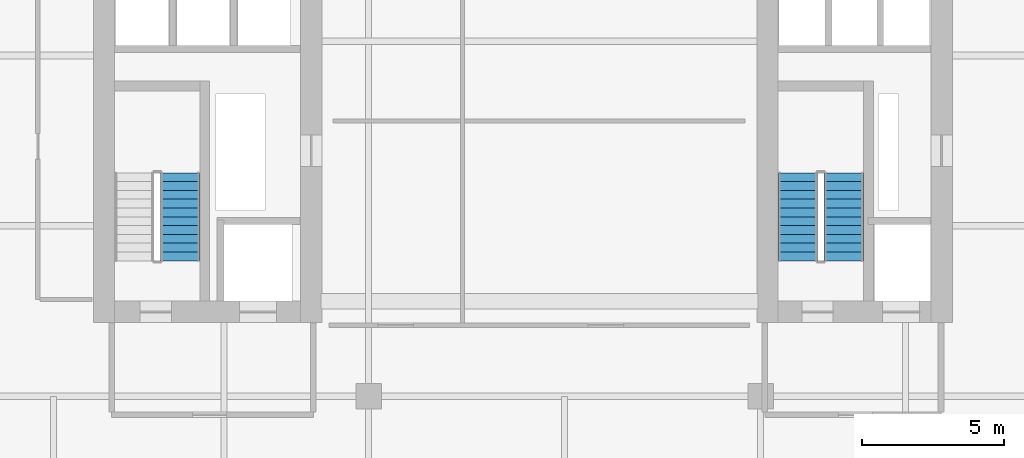
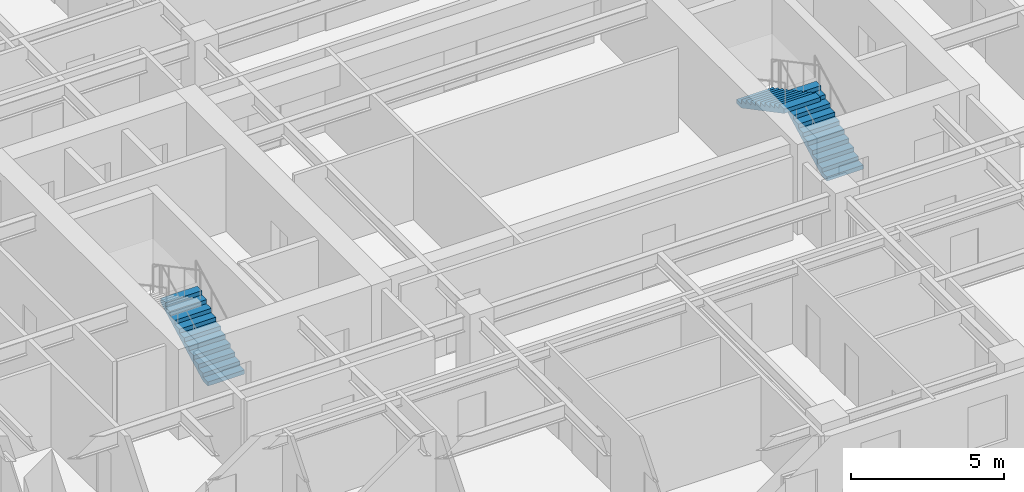
# One storey, part 13 of 15: 3 stair flights, 2 elements without a shape of their own.
"""IFC4 building model written with IfcOpenShell, lengths in metres."""

from ifc_helpers import new_model, si_unit, direction, frame, origin, place, context, subcontext, project, spatial, polyline, outline, extrude, source, transform, mapped, material, type_object, element, aggregate, save


model = new_model("IFC4")

# Units and contexts
model_context = context("Model", 3, precision=1e-05, world=origin(), true_north=direction((0.0, 1.0)))
body_context = subcontext(model_context, "Body", "Model", "MODEL_VIEW")
ifc_project = project(units=[si_unit("LENGTHUNIT", "METRE"), si_unit("AREAUNIT", "SQUARE_METRE"), si_unit("VOLUMEUNIT", "CUBIC_METRE"), si_unit("PLANEANGLEUNIT", "RADIAN"), si_unit("MASSUNIT", "GRAM", prefix="KILO")], contexts=[model_context])

# Site, building, storey
site_placement = place(None, origin())
site = spatial("IfcSite", under=ifc_project, at=site_placement, CompositionType="ELEMENT")
building_placement = place(site_placement, origin())
building = spatial("IfcBuilding", under=site, at=building_placement, Name="Khoralis Quay Care Tower", CompositionType="ELEMENT")
storey_placement = place(building_placement, frame((0.0, 0.0, 123.300048828125)))
storey = spatial("IfcBuildingStorey", under=building, at=storey_placement, Name="L32", CompositionType="ELEMENT", Elevation=123.300048828125)

# Stair, stair flight
ifc_material = material(Name="Precast concrete C45/55", Category="concrete")
stair_type = type_object("IfcStairType", Name="ST-TWR-DOGLEG-1400", PredefinedType="HALF_TURN_STAIR", material=ifc_material)
stair_1_placement = place(storey_placement, origin())
stair_1 = element("IfcStair", 1, at=stair_1_placement, inside=storey, type_object=stair_type, Name="L32 West Core Exit Stair ST-T1", PredefinedType="HALF_TURN_STAIR")
stair_flight_type = type_object("IfcStairFlightType", Name="SF-TWR-1400", PredefinedType="STRAIGHT", material=ifc_material)
shared_shape = source(origin(), body_context, "Body", "SweptSolid", [
    extrude(outline(polyline([(0.0, 0.0), (0.0, 0.16357421875), (0.31005859375, 0.16357421875), (0.31005859375, 0.327392578125), (0.6201171875, 0.327392578125), (0.6201171875, 0.490966796875), (0.929931640625, 0.490966796875), (0.929931640625, 0.654541015625), (1.239990234375, 0.654541015625), (1.239990234375, 0.818115234375), (1.550048828125, 0.818115234375), (1.550048828125, 0.98193359375), (1.860107421875, 0.98193359375), (1.860107421875, 1.1455078125), (2.169921875, 1.1455078125), (2.169921875, 1.30908203125), (2.47998046875, 1.30908203125), (2.47998046875, 1.47265625), (2.7900390625, 1.47265625), (2.7900390625, 1.636474609375), (3.10009765625, 1.636474609375), (3.10009765625, 1.800048828125), (3.10009765625, 1.466796875), (0.321044921875, 0.0), (0.0, 0.0)])), frame((0.0, 0.68994140625, 0.0), z_axis=(0.0, -1.0, 0.0), x_axis=(1.0, 0.0, 0.0)), (0.0, 0.0, 1.0), 1.3798828125),
])
stair_flight_1_placement = place(storey_placement, frame((10.4599609375, 16.77001953125, 0.0), z_axis=(0.0, 0.0, 1.0), x_axis=(0.0, 1.0, 0.0)))
stair_flight_1 = element("IfcStairFlight", 2, at=stair_flight_1_placement, type_object=stair_flight_type, Name="ST-T1 flight 1", NumberOfRisers=11, NumberOfTreads=10, PredefinedType="STRAIGHT", RiserHeight=0.163636364, TreadLength=0.31, context=body_context, shape_type="MappedRepresentation", body=[
    mapped(shared_shape, transform((0.0, 0.0, 0.0), scale=1.0)),
])
aggregate(stair_1, [stair_flight_1])

# Stair, stair flights
stair_2_placement = place(storey_placement, origin())
stair_2 = element("IfcStair", 3, at=stair_2_placement, inside=storey, type_object=stair_type, Name="L32 East Core Exit Stair ST-T2", PredefinedType="HALF_TURN_STAIR")
stair_flight_2_placement = place(storey_placement, frame((33.830078125, 16.77001953125, 0.0), z_axis=(0.0, 0.0, 1.0), x_axis=(0.0, 1.0, 0.0)))
stair_flight_2 = element("IfcStairFlight", 4, at=stair_flight_2_placement, type_object=stair_flight_type, Name="ST-T2 flight 1", NumberOfRisers=11, NumberOfTreads=10, PredefinedType="STRAIGHT", RiserHeight=0.163636364, TreadLength=0.31, context=body_context, shape_type="MappedRepresentation", body=[
    mapped(shared_shape, transform((0.0, 0.0, 0.0), scale=1.0)),
])
stair_flight_3_placement = place(storey_placement, frame((32.2099609375, 19.8701171875, 1.800048828125), z_axis=(0.0, 0.0, 1.0), x_axis=(0.0, -1.0, 0.0)))
stair_flight_3 = element("IfcStairFlight", 5, at=stair_flight_3_placement, type_object=stair_flight_type, Name="ST-T2 flight 2", NumberOfRisers=11, NumberOfTreads=10, PredefinedType="STRAIGHT", RiserHeight=0.163636364, TreadLength=0.31, context=body_context, shape_type="MappedRepresentation", body=[
    mapped(shared_shape, transform((0.0, 0.0, 0.0), scale=1.0)),
])
aggregate(stair_2, [stair_flight_2, stair_flight_3])

save(model, "model.ifc")
